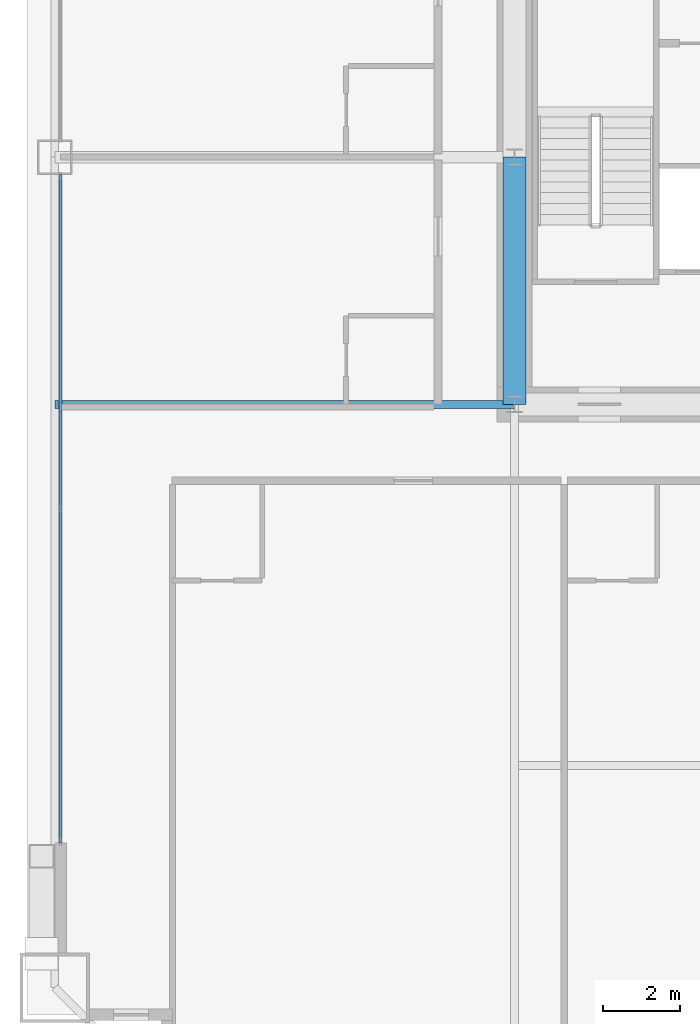
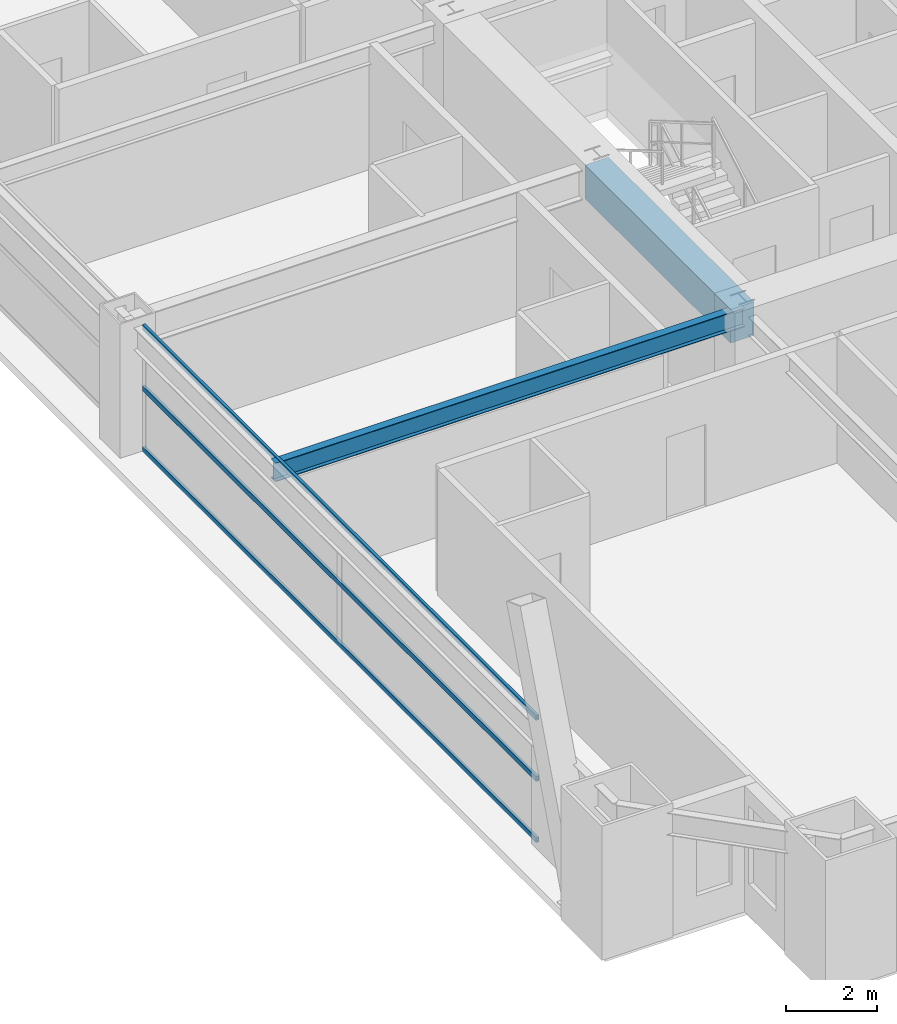
# One storey, part 10 of 43: 3 members, 2 beams, 1 element without a shape of its own.
"""IFC4 building model written with IfcOpenShell, lengths in metres."""

from ifc_helpers import new_model, si_unit, direction, frame, origin, origin_2d, place, context, subcontext, project, spatial, rectangle, hollow_rectangle, i_section, extrude, source, transform, mapped, material, layer, layer_set, material_profile, profile_set, type_object, element, aggregate, save


model = new_model("IFC4")

# Units and contexts
model_context = context("Model", 3, precision=1e-05, world=origin(), true_north=direction((0.0, 1.0)))
body_context = subcontext(model_context, "Body", "Model", "MODEL_VIEW")
ifc_project = project(units=[si_unit("LENGTHUNIT", "METRE"), si_unit("AREAUNIT", "SQUARE_METRE"), si_unit("VOLUMEUNIT", "CUBIC_METRE"), si_unit("PLANEANGLEUNIT", "RADIAN"), si_unit("MASSUNIT", "GRAM", prefix="KILO"), si_unit("THERMODYNAMICTEMPERATUREUNIT", "KELVIN"), si_unit("POWERUNIT", "WATT")], contexts=[model_context])

# Site, building, storey
site_placement = place(None, origin())
site = spatial("IfcSite", under=ifc_project, at=site_placement, CompositionType="ELEMENT")
building_placement = place(site_placement, origin())
building = spatial("IfcBuilding", under=site, at=building_placement, Name="Yuzanri Waterfront Tower", CompositionType="ELEMENT")
storey_placement = place(building_placement, frame((0.0, 0.0, 46.0)))
storey = spatial("IfcBuildingStorey", under=building, at=storey_placement, Name="L11", CompositionType="ELEMENT", Elevation=46.0)

# Beams
ifc_material_1 = material(Name="Concrete C60", Category="concrete")
ifc_material_profile_1 = material_profile(ifc_material_1, rectangle(XDim=0.60009765625, YDim=0.89990234375, at=origin_2d()), Name="RC 600x900")
ifc_profile_set_1 = profile_set([ifc_material_profile_1], Name="Concrete C60")
beam_type_1 = type_object("IfcBeamType", Name="Core Coupling Lintel Concrete C60 600x900", PredefinedType="LINTEL", material=ifc_profile_set_1)
shared_shape_1 = source(origin(), body_context, "Body", "SweptSolid", [
    extrude(rectangle(XDim=0.60009765625, YDim=0.89990234375, at=origin_2d()), origin(), (0.0, 0.0, 1.0), 6.400146484375),
])
beam_1_placement = place(storey_placement, frame((23.800048828125, 19.39990234375, 2.929931640625), z_axis=(0.0, 1.0, 0.0), x_axis=(-1.0, 0.0, 0.0)))
element("IfcBeam", 1, at=beam_1_placement, inside=storey, type_object=beam_type_1, Name="L11 Core Tie Beam CW1", PredefinedType="LINTEL", context=body_context, shape_type="MappedRepresentation", body=[
    mapped(shared_shape_1, transform((0.0, 0.0, 0.0), scale=1.0)),
])
ifc_material_2 = material(Name="Steel Q355B", Category="steel")
ifc_material_profile_2 = material_profile(ifc_material_2, i_section(OverallWidth=0.199951171875, OverallDepth=0.5, WebThickness=0.010009765625, FlangeThickness=0.01611328125, at=origin_2d()), Name="HN 500x200x10x16")
ifc_profile_set_2 = profile_set([ifc_material_profile_2], Name="Steel Q355B")
beam_type_2 = type_object("IfcBeamType", Name="Secondary Floor Beam Q355B HN 500x200", PredefinedType="BEAM", material=ifc_profile_set_2)
shared_shape_2 = source(origin(), body_context, "Body", "SweptSolid", [
    extrude(i_section(OverallWidth=0.199951171875, OverallDepth=0.5, WebThickness=0.010009765625, FlangeThickness=0.01611328125, at=origin_2d()), origin(), (0.0, 0.0, 1.0), 11.900146484375),
])
beam_2_placement = place(storey_placement, frame((23.800048828125, 19.39990234375, 3.1298828125), z_axis=(-1.0, 0.0, 0.0), x_axis=(0.0, -1.0, 0.0)))
element("IfcBeam", 2, at=beam_2_placement, inside=storey, type_object=beam_type_2, Name="L11 West-South Core Line Beam", PredefinedType="BEAM", context=body_context, shape_type="MappedRepresentation", body=[
    mapped(shared_shape_2, transform((0.0, 0.0, 0.0), scale=1.0)),
])

# Curtain wall, members
ifc_material_3 = material(Name="Anodized Architectural Bronze", Category="metal")
ifc_layer = layer(ifc_material_3, 0.159912109375)
ifc_layer_set = layer_set([ifc_layer], Name="Anodized Architectural Bronze")
curtain_wall_type = type_object("IfcCurtainWallType", Name="Anodized Bronze Hotel Lower-Tier Recessed Unitized Curtain Wall 8100", PredefinedType="NOTDEFINED", material=ifc_layer_set)
curtain_wall_placement = place(storey_placement, origin())
curtain_wall = element("IfcCurtainWall", 3, at=curtain_wall_placement, inside=storey, type_object=curtain_wall_type, Name="L11 Curtain Wall CW-L11-WL", PredefinedType="NOTDEFINED")
ifc_material_4 = material(Name="Anodized Architectural Bronze", Category="metal")
ifc_material_profile_3 = material_profile(ifc_material_4, hollow_rectangle(XDim=0.070068359375, YDim=0.135009765625, WallThickness=0.00341796875, at=origin_2d()), Name="CWT 70x135")
ifc_profile_set_3 = profile_set([ifc_material_profile_3], Name="Anodized Architectural Bronze")
member_type = type_object("IfcMemberType", Name="Anodized Bronze Standard Curtain-Wall Transom 70x135", PredefinedType="USERDEFINED", material=ifc_profile_set_3)
shared_shape_3 = source(origin(), body_context, "Body", "SweptSolid", [
    extrude(hollow_rectangle(XDim=0.070068359375, YDim=0.135009765625, WallThickness=0.00341796875, at=origin_2d()), origin(), (0.0, 0.0, 1.0), 17.300048828125),
])
member_1_placement = place(storey_placement, frame((12.050048828125, 8.050048828125, 0.050048828125), z_axis=(0.0, 1.0, 0.0), x_axis=(-1.0, 0.0, 0.0)))
member_1 = element("IfcMember", 4, at=member_1_placement, type_object=member_type, Name="CW-L11-WL Transom 1", ObjectType="TRANSOM", PredefinedType="USERDEFINED", context=body_context, shape_type="MappedRepresentation", body=[
    mapped(shared_shape_3, transform((0.0, 0.0, 0.0), scale=1.0)),
])
member_2_placement = place(storey_placement, frame((12.050048828125, 8.050048828125, 1.68994140625), z_axis=(0.0, 1.0, 0.0), x_axis=(-1.0, 0.0, 0.0)))
member_2 = element("IfcMember", 5, at=member_2_placement, type_object=member_type, Name="CW-L11-WL Transom 2", ObjectType="TRANSOM", PredefinedType="USERDEFINED", context=body_context, shape_type="MappedRepresentation", body=[
    mapped(shared_shape_3, transform((0.0, 0.0, 0.0), scale=1.0)),
])
member_3_placement = place(storey_placement, frame((12.050048828125, 8.050048828125, 3.330078125), z_axis=(0.0, 1.0, 0.0), x_axis=(-1.0, 0.0, 0.0)))
member_3 = element("IfcMember", 6, at=member_3_placement, type_object=member_type, Name="CW-L11-WL Transom 3", ObjectType="TRANSOM", PredefinedType="USERDEFINED", context=body_context, shape_type="MappedRepresentation", body=[
    mapped(shared_shape_3, transform((0.0, 0.0, 0.0), scale=1.0)),
])
aggregate(curtain_wall, [member_1, member_2, member_3])

save(model, "model.ifc")
